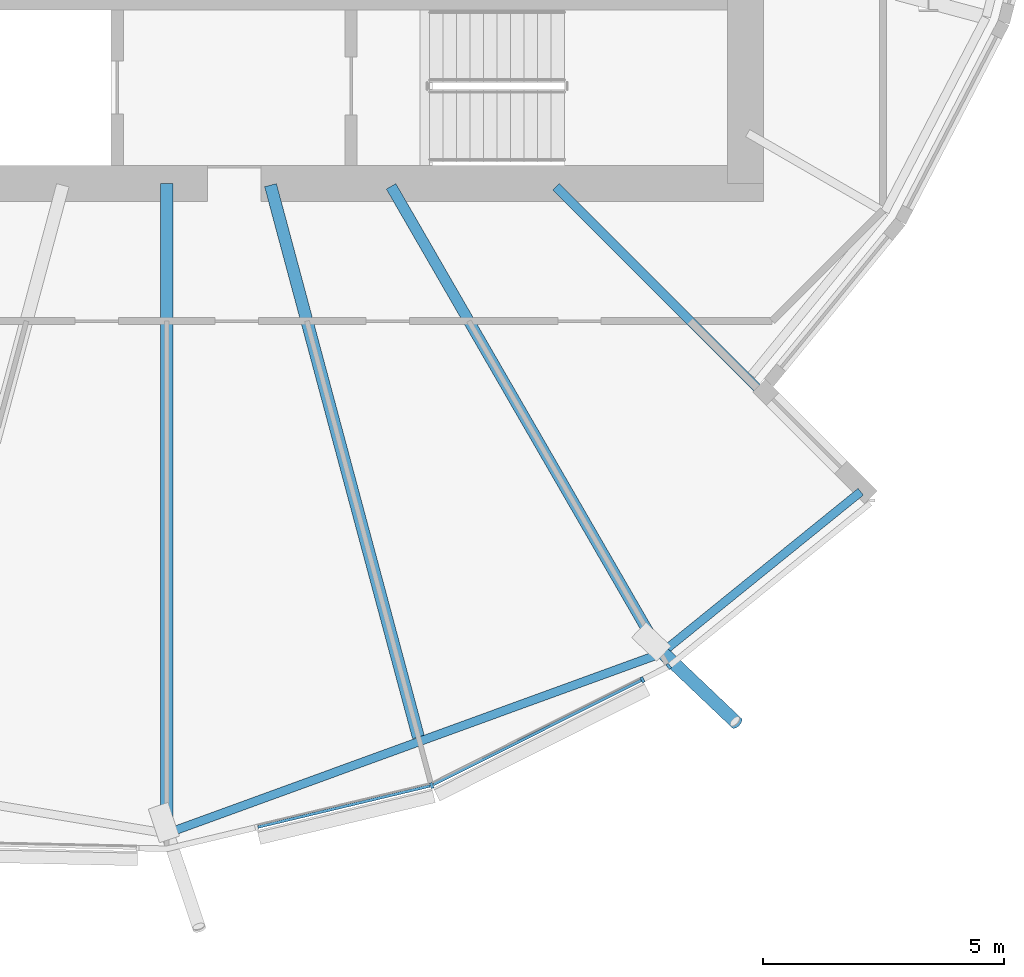
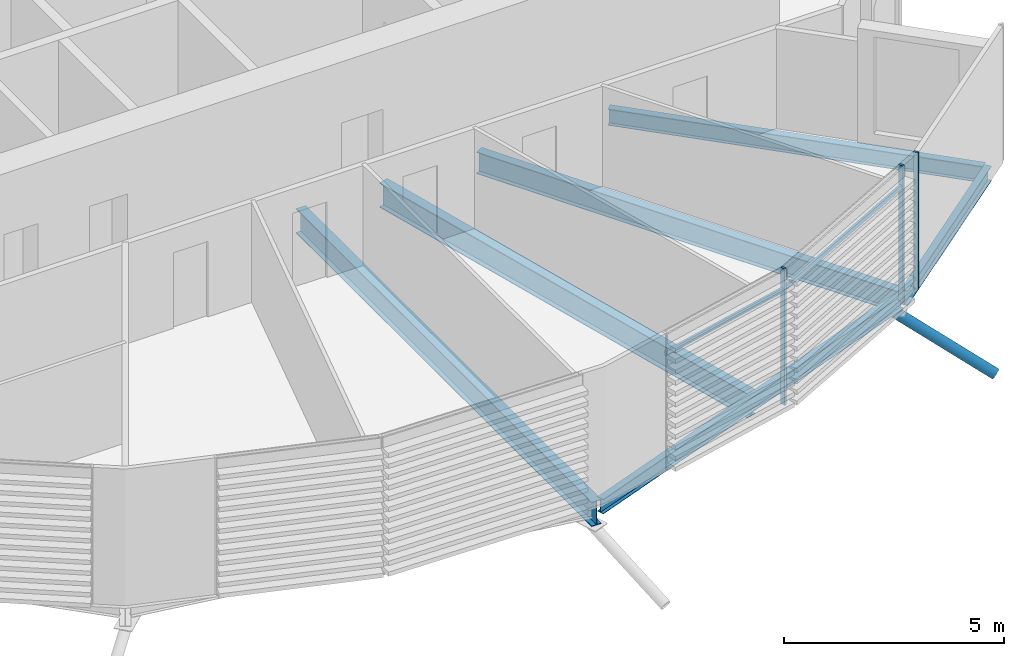
# One storey, part 14 of 38: 6 beams, 6 members, 1 element without a shape of its own.
"""IFC4 building model written with IfcOpenShell, lengths in metres."""

import ifcopenshell
import ifcopenshell.guid

model = None  # the IFC model being written
_history = None  # IfcOwnerHistory: only IFC2X3 demands one
_inside = {}  # id of a spatial element -> (the spatial element, [elements in it])
_under = {}  # id of a project, library or spatial element -> (it, [spatial elements below it])
_declared = {}  # id of a project -> (the project, [libraries it declares])
_typed = {}  # id of a type object -> (the type object, [elements of that type])
_made_of = {}  # id of a material, layer set ... -> (it, [elements and type objects made of it])


def new_model(schema):
    """Start an empty IFC model of exactly this schema.

    Asked for "IFC4X3", IfcOpenShell would pick the latest addendum, in which some entities
    have other attributes; the version numbers below select the first issue.
    IFC2X3 requires an IfcOwnerHistory on every rooted entity: one is made here for all.
    """
    global model, _history
    if schema == "IFC4X3":
        model = ifcopenshell.file(schema_version=(4, 3, 0, 0))
    else:
        model = ifcopenshell.file(schema=schema)
    _inside.clear()
    _under.clear()
    _declared.clear()
    _typed.clear()
    _made_of.clear()
    _history = None
    if model.schema == "IFC2X3":
        org = make("IfcOrganization", Name="unknown")
        user = make(
            "IfcPersonAndOrganization",
            ThePerson=make("IfcPerson", FamilyName="unknown"),
            TheOrganization=org,
        )
        app = make(
            "IfcApplication",
            ApplicationDeveloper=org,
            Version="unknown",
            ApplicationFullName="unknown",
            ApplicationIdentifier="unknown",
        )
        _history = make(
            "IfcOwnerHistory",
            OwningUser=user,
            OwningApplication=app,
            ChangeAction="ADDED",
            CreationDate=0,
        )
    return model


def make(cls, **values):
    """One entity of the class cls with the attributes given. An attribute that is None is left unset."""
    return model.create_entity(
        cls, **{name: value for name, value in values.items() if value is not None}
    )


def rooted(cls, **values):
    """An entity with a GlobalId (a new one), such as an element, a storey or a relation."""
    return make(cls, GlobalId=ifcopenshell.guid.new(), OwnerHistory=_history, **values)


def si_unit(unit_type, name, prefix=None):
    """IfcSIUnit, for example si_unit("LENGTHUNIT", "METRE", prefix="MILLI")."""
    return make("IfcSIUnit", UnitType=unit_type, Prefix=prefix, Name=name)


def assignment(units):
    """IfcUnitAssignment: the units of a project."""
    return None if units is None else make("IfcUnitAssignment", Units=units)


def point(xyz):
    """IfcCartesianPoint."""
    return None if xyz is None else make("IfcCartesianPoint", Coordinates=xyz)


def direction(xyz):
    """IfcDirection."""
    return None if xyz is None else make("IfcDirection", DirectionRatios=xyz)


def frame(location, z_axis=None, x_axis=None):
    """IfcAxis2Placement3D, a coordinate frame: its origin and axes. An axis left out is left unset."""
    return make(
        "IfcAxis2Placement3D",
        Location=point(location),
        Axis=direction(z_axis),
        RefDirection=direction(x_axis),
    )


def frame_2d(location, x_axis=None):
    """IfcAxis2Placement2D, a coordinate frame in the plane: its origin and x axis."""
    return make(
        "IfcAxis2Placement2D", Location=point(location), RefDirection=direction(x_axis)
    )


def origin():
    """The frame at (0, 0, 0) with its axes left unset."""
    return frame((0.0, 0.0, 0.0))


def origin_2d():
    """The frame at (0, 0) in the plane with its x axis left unset."""
    return frame_2d((0.0, 0.0))


def place(relative_to, where):
    """IfcLocalPlacement: puts the frame where relative to a parent placement (None: the world)."""
    return make(
        "IfcLocalPlacement", PlacementRelTo=relative_to, RelativePlacement=where
    )


def context(
    kind, dimensions, precision=None, world=None, true_north=None, identifier=None
):
    """IfcGeometricRepresentationContext, for example the 3D "Model" context."""
    return make(
        "IfcGeometricRepresentationContext",
        ContextIdentifier=identifier,
        ContextType=kind,
        CoordinateSpaceDimension=dimensions,
        Precision=precision,
        WorldCoordinateSystem=world,
        TrueNorth=true_north,
    )


def subcontext(parent, identifier, kind, view, scale=None):
    """IfcGeometricRepresentationSubContext, for example "Body" below "Model"."""
    return make(
        "IfcGeometricRepresentationSubContext",
        ContextIdentifier=identifier,
        ContextType=kind,
        ParentContext=parent,
        TargetScale=scale,
        TargetView=view,
    )


def project(units=None, contexts=None):
    """IfcProject with its units and contexts."""
    return rooted(
        "IfcProject",
        Name="project",
        RepresentationContexts=contexts,
        UnitsInContext=assignment(units),
    )


def spatial(cls, under=None, at=None, **own):
    """A site, building, storey or space (cls), placed at a placement, below another one or the project."""
    s = rooted(cls, ObjectPlacement=at, **own)
    if under is not None:
        _under.setdefault(under.id(), (under, []))[1].append(s)
    return s


def profile(cls, at=None, kind="AREA", **sizes):
    """A parametric profile (cls). Its sizes go by their IFC names, for example OverallWidth=200.0."""
    return make(cls, ProfileType=kind, Position=at, **sizes)


def rectangle(**sizes):
    """IfcRectangleProfileDef."""
    return profile("IfcRectangleProfileDef", **sizes)


def hollow_circle(**sizes):
    """IfcCircleHollowProfileDef."""
    return profile("IfcCircleHollowProfileDef", **sizes)


def i_section(**sizes):
    """IfcIShapeProfileDef."""
    return profile("IfcIShapeProfileDef", **sizes)


def extrude(swept, where, along, depth):
    """IfcExtrudedAreaSolid: the profile swept, set in the frame where, extruded along a direction by depth."""
    return make(
        "IfcExtrudedAreaSolid",
        SweptArea=swept,
        Position=where,
        ExtrudedDirection=direction(along),
        Depth=depth,
    )


def clip(a, b, op="DIFFERENCE"):
    """IfcBooleanClippingResult: the solid a cut by the half space b."""
    return make(
        "IfcBooleanClippingResult", Operator=op, FirstOperand=a, SecondOperand=b
    )


def halfspace(plane, agree):
    """IfcHalfSpaceSolid: all space on one side of the plane z = 0 of the frame plane."""
    return make(
        "IfcHalfSpaceSolid",
        BaseSurface=make("IfcPlane", Position=plane),
        AgreementFlag=agree,
    )


def shape(context_of_items, identifier, shape_type, items):
    """IfcShapeRepresentation: the items that make up one representation, for example the "Body"."""
    return make(
        "IfcShapeRepresentation",
        ContextOfItems=context_of_items,
        RepresentationIdentifier=identifier,
        RepresentationType=shape_type,
        Items=items,
    )


def material(Name=None, Category=None):
    """IfcMaterial."""
    return make("IfcMaterial", Name=Name, Category=Category)


def material_profile(
    of_material, cross_section, Name=None, Category=None, Priority=None
):
    """IfcMaterialProfile: a cross section and its material."""
    return make(
        "IfcMaterialProfile",
        Name=Name,
        Material=of_material,
        Profile=cross_section,
        Priority=Priority,
        Category=Category,
    )


def profile_set(profiles, Name=None, composite=None):
    """IfcMaterialProfileSet."""
    return make(
        "IfcMaterialProfileSet",
        Name=Name,
        MaterialProfiles=profiles,
        CompositeProfile=composite,
    )


def made_of(thing, what):
    """Note that an element or type object is made of a material, layer set ...; save() writes the relation."""
    if what is not None:
        _made_of.setdefault(what.id(), (what, []))[1].append(thing)
    return thing


def type_object(cls, material=None, **own):
    """A type object (cls), such as IfcWallType, which elements share."""
    return made_of(rooted(cls, **own), material)


def element(
    cls,
    number,
    at=None,
    inside=None,
    cuts=None,
    type_object=None,
    material=None,
    context=None,
    identifier="Body",
    shape_type=None,
    held_by="IfcProductDefinitionShape",
    body=None,
    shapes=None,
    **own,
):
    """One element of the class cls, such as IfcWall. Its Tag is "e" and its number.

    at: its placement. inside: the storey or other place that contains it. cuts: it is an
    opening in that element (IfcRelVoidsElement). A single representation is given by context,
    identifier, shape_type and body (its items); several are given by shapes. held_by: the class
    of the entity that holds the representations. save() writes the other relations.
    """
    e = rooted(cls, Tag="e%d" % number, ObjectPlacement=at, **own)
    if body is not None:
        shapes = [shape(context, identifier, shape_type, body)]
    if shapes is not None:
        e.Representation = make(held_by, Representations=shapes)
    if inside is not None:
        _inside.setdefault(inside.id(), (inside, []))[1].append(e)
    if cuts is not None:
        rooted(
            "IfcRelVoidsElement", RelatingBuildingElement=cuts, RelatedOpeningElement=e
        )
    if type_object is not None:
        _typed.setdefault(type_object.id(), (type_object, []))[1].append(e)
    return made_of(e, material)


def aggregate(whole, parts):
    """IfcRelAggregates: a whole, such as a stair, and the parts it consists of."""
    return rooted("IfcRelAggregates", RelatingObject=whole, RelatedObjects=parts)


def save(model, path):
    """Write the relations noted so far, then the file.

    IfcRelAggregates (storeys below a building ...), IfcRelContainedInSpatialStructure (elements
    in a storey), IfcRelDefinesByType, IfcRelAssociatesMaterial and IfcRelDeclares: one each for
    every whole, place, type object, material and project.
    """
    for whole, parts in _under.values():
        aggregate(whole, parts)
    for where, things in _inside.values():
        rooted(
            "IfcRelContainedInSpatialStructure",
            RelatedElements=things,
            RelatingStructure=where,
        )
    for kind, things in _typed.values():
        rooted("IfcRelDefinesByType", RelatedObjects=things, RelatingType=kind)
    for what, things in _made_of.values():
        rooted("IfcRelAssociatesMaterial", RelatedObjects=things, RelatingMaterial=what)
    for by, libraries in _declared.values():
        rooted("IfcRelDeclares", RelatingContext=by, RelatedDefinitions=libraries)
    model.write(path)


model = new_model("IFC4")

# Units and contexts
model_context = context("Model", 3, precision=1e-05, world=origin(), true_north=direction((0.0, 1.0)))
body_context = subcontext(model_context, "Body", "Model", "MODEL_VIEW")
ifc_project = project(units=[si_unit("LENGTHUNIT", "METRE"), si_unit("AREAUNIT", "SQUARE_METRE"), si_unit("VOLUMEUNIT", "CUBIC_METRE"), si_unit("PLANEANGLEUNIT", "RADIAN"), si_unit("MASSUNIT", "GRAM", prefix="KILO")], contexts=[model_context])

# Site, building, storey
site_placement = place(None, origin())
site = spatial("IfcSite", under=ifc_project, at=site_placement, CompositionType="ELEMENT")
building_placement = place(site_placement, origin())
building = spatial("IfcBuilding", under=site, at=building_placement, Name="Rimbun Link Towers", CompositionType="ELEMENT")
storey_placement = place(building_placement, frame((0.0, 0.0, 119.60009765625)))
storey = spatial("IfcBuildingStorey", under=building, at=storey_placement, Name="L29", CompositionType="ELEMENT", Elevation=119.60009765625)

# Curtain wall, members
ifc_material_1 = material(Name="Aluminium 6063-T6 and low-iron glass", Category="aluminium")
curtain_wall_type = type_object("IfcCurtainWallType", Name="CW1-Z2 unitised vision wall (zone 2)", PredefinedType="NOTDEFINED", material=ifc_material_1)
curtain_wall_placement = place(storey_placement, origin())
curtain_wall = element("IfcCurtainWall", 1, at=curtain_wall_placement, inside=storey, type_object=curtain_wall_type, Name="CW1 L29 T2", PredefinedType="NOTDEFINED")
ifc_material_2 = material(Name="Aluminium 6063-T6", Category="aluminium")
ifc_material_profile_1 = material_profile(ifc_material_2, rectangle(XDim=0.1201171875, YDim=0.06005859375, at=origin_2d()), Name="MULLION 60X120")
ifc_profile_set_1 = profile_set([ifc_material_profile_1], Name="Aluminium 6063-T6")
member_type_1 = type_object("IfcMemberType", Name="CW1 mullion 60X120", PredefinedType="MULLION", material=ifc_profile_set_1)
member_1_placement = place(storey_placement, frame((37.24267578125, -20.47802734375, 0.0), z_axis=(0.0, 0.0, 1.0), x_axis=(0.342974549868, -0.939344696127, 0.0)))
member_1 = element("IfcMember", 2, at=member_1_placement, type_object=member_type_1, Name="CW1 mullion", PredefinedType="MULLION", context=body_context, shape_type="SweptSolid", body=[
    extrude(rectangle(XDim=0.1201171875, YDim=0.06005859375, at=origin_2d()), origin(), (0.0, 0.0, 1.0), 3.7998046875),
])
member_2_placement = place(storey_placement, frame((41.61083984375, -18.28466796875, 0.0), z_axis=(0.0, 0.0, 1.0), x_axis=(0.448789200311, -0.893637652343, 0.0)))
member_2 = element("IfcMember", 3, at=member_2_placement, type_object=member_type_1, Name="CW1 mullion", PredefinedType="MULLION", context=body_context, shape_type="SweptSolid", body=[
    extrude(rectangle(XDim=0.1201171875, YDim=0.06005859375, at=origin_2d()), origin(), (0.0, 0.0, 1.0), 3.7998046875),
])
member_3_placement = place(storey_placement, frame((42.157958984375, -18.00830078125, 0.0), z_axis=(0.0, 0.0, 1.0), x_axis=(0.62915825639, -0.777277227517, 0.0)))
member_3 = element("IfcMember", 4, at=member_3_placement, type_object=member_type_1, Name="CW1 mullion", PredefinedType="MULLION", context=body_context, shape_type="SweptSolid", body=[
    extrude(rectangle(XDim=0.1201171875, YDim=0.06005859375, at=origin_2d()), origin(), (0.0, 0.0, 1.0), 3.7998046875),
])
ifc_material_3 = material(Name="Aluminium 6063-T6", Category="aluminium")
ifc_material_profile_2 = material_profile(ifc_material_3, rectangle(XDim=0.06005859375, YDim=0.1201171875, at=origin_2d()), Name="TRANSOM 60X120")
ifc_profile_set_2 = profile_set([ifc_material_profile_2], Name="Aluminium 6063-T6")
member_type_2 = type_object("IfcMemberType", Name="CW1 transom 60X120", PredefinedType="USERDEFINED", material=ifc_profile_set_2)
member_4_placement = place(storey_placement, frame((37.206298828125, -20.485107421875, 3.199951171875), z_axis=(-0.972571359766, -0.232604707954, 0.0), x_axis=(0.232604707954, -0.972571359766, 0.0)))
member_4 = element("IfcMember", 5, at=member_4_placement, type_object=member_type_2, Name="CW1 transom", ObjectType="TRANSOM", PredefinedType="USERDEFINED", context=body_context, shape_type="SweptSolid", body=[
    extrude(rectangle(XDim=0.06005859375, YDim=0.1201171875, at=origin_2d()), origin(), (0.0, 0.0, 1.0), 3.666259765625),
])
member_5_placement = place(storey_placement, frame((41.583251953125, -18.29638671875, 3.199951171875), z_axis=(-0.893645973419, -0.44877263084, 0.0), x_axis=(0.44877263084, -0.893645973419, 0.0)))
member_5 = element("IfcMember", 6, at=member_5_placement, type_object=member_type_2, Name="CW1 transom", ObjectType="TRANSOM", PredefinedType="USERDEFINED", context=body_context, shape_type="SweptSolid", body=[
    extrude(rectangle(XDim=0.06005859375, YDim=0.1201171875, at=origin_2d()), origin(), (0.0, 0.0, 1.0), 4.821044921875),
])
aggregate(curtain_wall, [member_1, member_2, member_3, member_4, member_5])

# Member
ifc_material_4 = material(Name="Steel S355J2H", Category="steel")
ifc_material_profile_3 = material_profile(ifc_material_4, hollow_circle(Radius=0.136474609375, WallThickness=0.012451171875, at=origin_2d()), Name="CHS 273x12.5")
ifc_profile_set_3 = profile_set([ifc_material_profile_3], Name="Steel S355J2H")
member_type_3 = type_object("IfcMemberType", Name="Floor edge link CHS 273x12.5", PredefinedType="BRACE", material=ifc_profile_set_3)
member_6_placement = place(storey_placement, frame((41.923095703125, -17.620361328125, -0.88134765625), z_axis=(0.631334000953, -0.600062229291, -0.491266424885), x_axis=(0.688927420294, 0.724830331572, 0.0)))
element("IfcMember", 7, at=member_6_placement, inside=storey, type_object=member_type_3, Name="Floor edge link T2 L29 17", PredefinedType="BRACE", context=body_context, shape_type="Clipping", body=[
    clip(extrude(hollow_circle(Radius=0.136474609375, WallThickness=0.012451171875, at=origin_2d()), frame((0.0, 0.0, -0.50439453125)), (0.0, 0.0, 1.0), 3.11181640625), halfspace(frame((0.0, 0.0, -0.237548828125), z_axis=(0.0, 0.871009356885, -0.491266424885)), False)),
])

# Beams
ifc_material_5 = material(Name="Steel S355J2", Category="steel")
ifc_material_profile_4 = material_profile(ifc_material_5, i_section(OverallWidth=0.177978515625, OverallDepth=0.406494140625, WebThickness=0.0078125, FlangeThickness=0.0126953125, at=origin_2d()), Name="UB 406x178x60")
ifc_profile_set_4 = profile_set([ifc_material_profile_4], Name="Steel S355J2")
beam_type_1 = type_object("IfcBeamType", Name="UB 406x178x60", PredefinedType="BEAM", material=ifc_profile_set_4)
beam_1_placement = place(storey_placement, frame((31.877685546875, -21.4267578125, -0.36328125), z_axis=(0.939623960717, 0.342208726434, 0.0), x_axis=(-0.342208726434, 0.939623960717, 0.0)))
element("IfcBeam", 8, at=beam_1_placement, inside=storey, type_object=beam_type_1, Name="Edge beam T2 L29 15-17", PredefinedType="BEAM", context=body_context, shape_type="SweptSolid", body=[
    extrude(i_section(OverallWidth=0.177978515625, OverallDepth=0.406494140625, WebThickness=0.0078125, FlangeThickness=0.0126953125, at=origin_2d()), origin(), (0.0, 0.0, 1.0), 10.6494140625),
])
beam_2_placement = place(storey_placement, frame((41.994384765625, -17.741943359375, -0.36328125), z_axis=(0.777285404444, 0.629148154284, 0.0), x_axis=(-0.629148154284, 0.777285404444, 0.0)))
element("IfcBeam", 9, at=beam_2_placement, inside=storey, type_object=beam_type_1, Name="Edge beam T2 L29 17", PredefinedType="BEAM", context=body_context, shape_type="SweptSolid", body=[
    extrude(i_section(OverallWidth=0.177978515625, OverallDepth=0.406494140625, WebThickness=0.0078125, FlangeThickness=0.0126953125, at=origin_2d()), origin(), (0.0, 0.0, 1.0), 5.329833984375),
])
ifc_material_6 = material(Name="Steel S355J2", Category="steel")
ifc_material_profile_5 = material_profile(ifc_material_6, i_section(OverallWidth=0.18994140625, OverallDepth=0.453369140625, WebThickness=0.008544921875, FlangeThickness=0.0126953125, at=origin_2d()), Name="UB 457x191x67")
ifc_profile_set_5 = profile_set([ifc_material_profile_5], Name="Steel S355J2")
beam_type_2 = type_object("IfcBeamType", Name="UB 457x191x67", PredefinedType="BEAM", material=ifc_profile_set_5)
beam_3_placement = place(storey_placement, frame((39.81787109375, -8.06787109375, -0.38671875), z_axis=(0.707106781187, -0.707106781187, 0.0), x_axis=(0.707106781187, 0.707106781187, 0.0)))
element("IfcBeam", 10, at=beam_3_placement, inside=storey, type_object=beam_type_2, Name="Radial beam T2 L29 18", PredefinedType="BEAM", context=body_context, shape_type="SweptSolid", body=[
    extrude(i_section(OverallWidth=0.18994140625, OverallDepth=0.453369140625, WebThickness=0.008544921875, FlangeThickness=0.0126953125, at=origin_2d()), origin(), (0.0, 0.0, 1.0), 8.847412109375),
])
ifc_material_7 = material(Name="Steel S355J2", Category="steel")
ifc_material_profile_6 = material_profile(ifc_material_7, i_section(OverallWidth=0.2275390625, OverallDepth=0.6025390625, WebThickness=0.010498046875, FlangeThickness=0.014892578125, at=origin_2d()), Name="UB 610x229x101")
ifc_profile_set_6 = profile_set([ifc_material_profile_6], Name="Steel S355J2")
beam_type_3 = type_object("IfcBeamType", Name="UB 610x229x101", PredefinedType="BEAM", material=ifc_profile_set_6)
beam_4_placement = place(storey_placement, frame((36.402099609375, -8.057861328125, -0.46142578125), z_axis=(0.500002536638, -0.866023939251, 0.0), x_axis=(0.866023939251, 0.500002536638, 0.0)))
element("IfcBeam", 11, at=beam_4_placement, inside=storey, type_object=beam_type_3, Name="Radial beam T2 L29 17", PredefinedType="BEAM", context=body_context, shape_type="SweptSolid", body=[
    extrude(i_section(OverallWidth=0.2275390625, OverallDepth=0.6025390625, WebThickness=0.010498046875, FlangeThickness=0.014892578125, at=origin_2d()), origin(), (0.0, 0.0, 1.0), 11.091796875),
])
ifc_material_8 = material(Name="Steel S355J2", Category="steel")
ifc_material_profile_7 = material_profile(ifc_material_8, i_section(OverallWidth=0.253662109375, OverallDepth=0.68359375, WebThickness=0.012451171875, FlangeThickness=0.01904296875, at=origin_2d()), Name="UB 686x254x140")
ifc_profile_set_7 = profile_set([ifc_material_profile_7], Name="Steel S355J2")
beam_type_4 = type_object("IfcBeamType", Name="UB 686x254x140", PredefinedType="BEAM", material=ifc_profile_set_7)
beam_5_placement = place(storey_placement, frame((31.75, -8.0009765625, -0.501953125), z_axis=(0.0, -1.0, 0.0), x_axis=(1.0, 0.0, 0.0)))
element("IfcBeam", 12, at=beam_5_placement, inside=storey, type_object=beam_type_4, Name="Radial beam T2 L29 15", PredefinedType="BEAM", context=body_context, shape_type="SweptSolid", body=[
    extrude(i_section(OverallWidth=0.253662109375, OverallDepth=0.68359375, WebThickness=0.012451171875, FlangeThickness=0.01904296875, at=origin_2d()), origin(), (0.0, 0.0, 1.0), 13.47216796875),
])
beam_6_placement = place(storey_placement, frame((33.902587890625, -8.03369140625, -0.501953125), z_axis=(0.258818149122, -0.965926066366, 0.0), x_axis=(0.965926066366, 0.258818149122, 0.0)))
element("IfcBeam", 13, at=beam_6_placement, inside=storey, type_object=beam_type_4, Name="Radial beam T2 L29 16", PredefinedType="BEAM", context=body_context, shape_type="SweptSolid", body=[
    extrude(i_section(OverallWidth=0.253662109375, OverallDepth=0.68359375, WebThickness=0.012451171875, FlangeThickness=0.01904296875, at=origin_2d()), origin(), (0.0, 0.0, 1.0), 11.8466796875),
])

save(model, "model.ifc")
